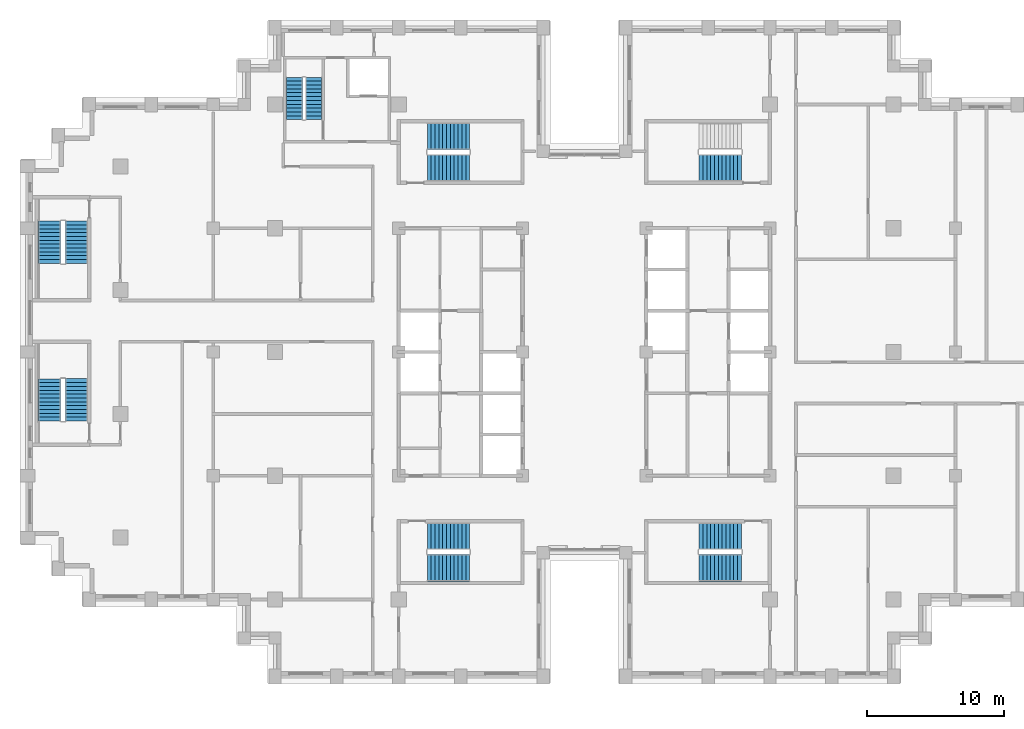
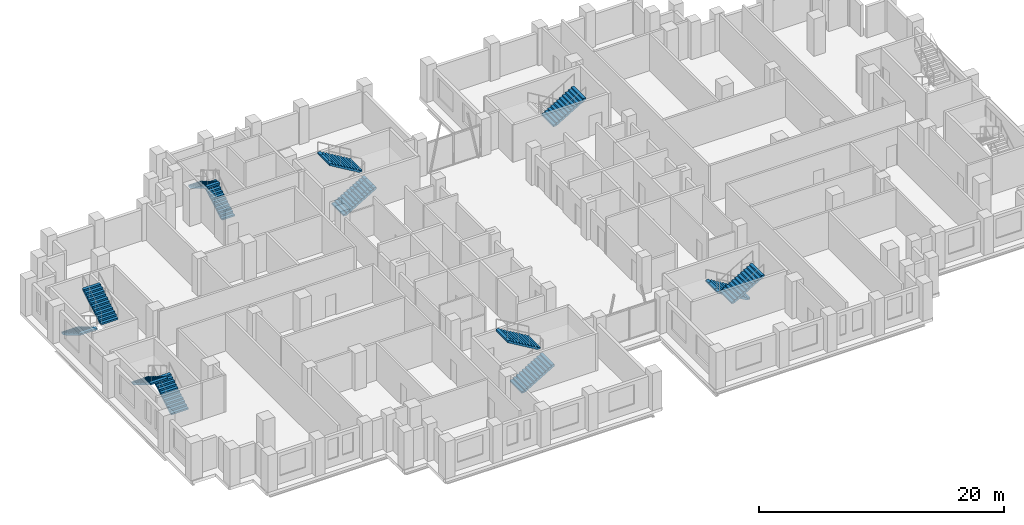
# One storey, part 13 of 16: 13 stair flights, 7 elements without a shape of their own.
"""IFC4 building model written with IfcOpenShell, lengths in metres."""

import ifcopenshell
import ifcopenshell.guid

model = None  # the IFC model being written
_history = None  # IfcOwnerHistory: only IFC2X3 demands one
_inside = {}  # id of a spatial element -> (the spatial element, [elements in it])
_under = {}  # id of a project, library or spatial element -> (it, [spatial elements below it])
_declared = {}  # id of a project -> (the project, [libraries it declares])
_typed = {}  # id of a type object -> (the type object, [elements of that type])
_made_of = {}  # id of a material, layer set ... -> (it, [elements and type objects made of it])


def new_model(schema):
    """Start an empty IFC model of exactly this schema.

    Asked for "IFC4X3", IfcOpenShell would pick the latest addendum, in which some entities
    have other attributes; the version numbers below select the first issue.
    IFC2X3 requires an IfcOwnerHistory on every rooted entity: one is made here for all.
    """
    global model, _history
    if schema == "IFC4X3":
        model = ifcopenshell.file(schema_version=(4, 3, 0, 0))
    else:
        model = ifcopenshell.file(schema=schema)
    _inside.clear()
    _under.clear()
    _declared.clear()
    _typed.clear()
    _made_of.clear()
    _history = None
    if model.schema == "IFC2X3":
        org = make("IfcOrganization", Name="unknown")
        user = make(
            "IfcPersonAndOrganization",
            ThePerson=make("IfcPerson", FamilyName="unknown"),
            TheOrganization=org,
        )
        app = make(
            "IfcApplication",
            ApplicationDeveloper=org,
            Version="unknown",
            ApplicationFullName="unknown",
            ApplicationIdentifier="unknown",
        )
        _history = make(
            "IfcOwnerHistory",
            OwningUser=user,
            OwningApplication=app,
            ChangeAction="ADDED",
            CreationDate=0,
        )
    return model


def make(cls, **values):
    """One entity of the class cls with the attributes given. An attribute that is None is left unset."""
    return model.create_entity(
        cls, **{name: value for name, value in values.items() if value is not None}
    )


def rooted(cls, **values):
    """An entity with a GlobalId (a new one), such as an element, a storey or a relation."""
    return make(cls, GlobalId=ifcopenshell.guid.new(), OwnerHistory=_history, **values)


def si_unit(unit_type, name, prefix=None):
    """IfcSIUnit, for example si_unit("LENGTHUNIT", "METRE", prefix="MILLI")."""
    return make("IfcSIUnit", UnitType=unit_type, Prefix=prefix, Name=name)


def assignment(units):
    """IfcUnitAssignment: the units of a project."""
    return None if units is None else make("IfcUnitAssignment", Units=units)


def point(xyz):
    """IfcCartesianPoint."""
    return None if xyz is None else make("IfcCartesianPoint", Coordinates=xyz)


def direction(xyz):
    """IfcDirection."""
    return None if xyz is None else make("IfcDirection", DirectionRatios=xyz)


def frame(location, z_axis=None, x_axis=None):
    """IfcAxis2Placement3D, a coordinate frame: its origin and axes. An axis left out is left unset."""
    return make(
        "IfcAxis2Placement3D",
        Location=point(location),
        Axis=direction(z_axis),
        RefDirection=direction(x_axis),
    )


def origin():
    """The frame at (0, 0, 0) with its axes left unset."""
    return frame((0.0, 0.0, 0.0))


def place(relative_to, where):
    """IfcLocalPlacement: puts the frame where relative to a parent placement (None: the world)."""
    return make(
        "IfcLocalPlacement", PlacementRelTo=relative_to, RelativePlacement=where
    )


def context(
    kind, dimensions, precision=None, world=None, true_north=None, identifier=None
):
    """IfcGeometricRepresentationContext, for example the 3D "Model" context."""
    return make(
        "IfcGeometricRepresentationContext",
        ContextIdentifier=identifier,
        ContextType=kind,
        CoordinateSpaceDimension=dimensions,
        Precision=precision,
        WorldCoordinateSystem=world,
        TrueNorth=true_north,
    )


def subcontext(parent, identifier, kind, view, scale=None):
    """IfcGeometricRepresentationSubContext, for example "Body" below "Model"."""
    return make(
        "IfcGeometricRepresentationSubContext",
        ContextIdentifier=identifier,
        ContextType=kind,
        ParentContext=parent,
        TargetScale=scale,
        TargetView=view,
    )


def project(units=None, contexts=None):
    """IfcProject with its units and contexts."""
    return rooted(
        "IfcProject",
        Name="project",
        RepresentationContexts=contexts,
        UnitsInContext=assignment(units),
    )


def spatial(cls, under=None, at=None, **own):
    """A site, building, storey or space (cls), placed at a placement, below another one or the project."""
    s = rooted(cls, ObjectPlacement=at, **own)
    if under is not None:
        _under.setdefault(under.id(), (under, []))[1].append(s)
    return s


def polyline(points):
    """IfcPolyline through the points."""
    return make("IfcPolyline", Points=[point(p) for p in points])


def outline(outer, holes=None, kind="AREA"):
    """IfcArbitraryClosedProfileDef: a profile drawn as a closed curve; with holes, ...WithVoids."""
    if holes is None:
        return make("IfcArbitraryClosedProfileDef", ProfileType=kind, OuterCurve=outer)
    return make(
        "IfcArbitraryProfileDefWithVoids",
        ProfileType=kind,
        OuterCurve=outer,
        InnerCurves=holes,
    )


def extrude(swept, where, along, depth):
    """IfcExtrudedAreaSolid: the profile swept, set in the frame where, extruded along a direction by depth."""
    return make(
        "IfcExtrudedAreaSolid",
        SweptArea=swept,
        Position=where,
        ExtrudedDirection=direction(along),
        Depth=depth,
    )


def shape(context_of_items, identifier, shape_type, items):
    """IfcShapeRepresentation: the items that make up one representation, for example the "Body"."""
    return make(
        "IfcShapeRepresentation",
        ContextOfItems=context_of_items,
        RepresentationIdentifier=identifier,
        RepresentationType=shape_type,
        Items=items,
    )


def material(Name=None, Category=None):
    """IfcMaterial."""
    return make("IfcMaterial", Name=Name, Category=Category)


def made_of(thing, what):
    """Note that an element or type object is made of a material, layer set ...; save() writes the relation."""
    if what is not None:
        _made_of.setdefault(what.id(), (what, []))[1].append(thing)
    return thing


def type_object(cls, material=None, **own):
    """A type object (cls), such as IfcWallType, which elements share."""
    return made_of(rooted(cls, **own), material)


def element(
    cls,
    number,
    at=None,
    inside=None,
    cuts=None,
    type_object=None,
    material=None,
    context=None,
    identifier="Body",
    shape_type=None,
    held_by="IfcProductDefinitionShape",
    body=None,
    shapes=None,
    **own,
):
    """One element of the class cls, such as IfcWall. Its Tag is "e" and its number.

    at: its placement. inside: the storey or other place that contains it. cuts: it is an
    opening in that element (IfcRelVoidsElement). A single representation is given by context,
    identifier, shape_type and body (its items); several are given by shapes. held_by: the class
    of the entity that holds the representations. save() writes the other relations.
    """
    e = rooted(cls, Tag="e%d" % number, ObjectPlacement=at, **own)
    if body is not None:
        shapes = [shape(context, identifier, shape_type, body)]
    if shapes is not None:
        e.Representation = make(held_by, Representations=shapes)
    if inside is not None:
        _inside.setdefault(inside.id(), (inside, []))[1].append(e)
    if cuts is not None:
        rooted(
            "IfcRelVoidsElement", RelatingBuildingElement=cuts, RelatedOpeningElement=e
        )
    if type_object is not None:
        _typed.setdefault(type_object.id(), (type_object, []))[1].append(e)
    return made_of(e, material)


def aggregate(whole, parts):
    """IfcRelAggregates: a whole, such as a stair, and the parts it consists of."""
    return rooted("IfcRelAggregates", RelatingObject=whole, RelatedObjects=parts)


def save(model, path):
    """Write the relations noted so far, then the file.

    IfcRelAggregates (storeys below a building ...), IfcRelContainedInSpatialStructure (elements
    in a storey), IfcRelDefinesByType, IfcRelAssociatesMaterial and IfcRelDeclares: one each for
    every whole, place, type object, material and project.
    """
    for whole, parts in _under.values():
        aggregate(whole, parts)
    for where, things in _inside.values():
        rooted(
            "IfcRelContainedInSpatialStructure",
            RelatedElements=things,
            RelatingStructure=where,
        )
    for kind, things in _typed.values():
        rooted("IfcRelDefinesByType", RelatedObjects=things, RelatingType=kind)
    for what, things in _made_of.values():
        rooted("IfcRelAssociatesMaterial", RelatedObjects=things, RelatingMaterial=what)
    for by, libraries in _declared.values():
        rooted("IfcRelDeclares", RelatingContext=by, RelatedDefinitions=libraries)
    model.write(path)


model = new_model("IFC4")

# Units and contexts
model_context = context("Model", 3, precision=1e-05, world=origin(), true_north=direction((0.0, 1.0)))
body_context = subcontext(model_context, "Body", "Model", "MODEL_VIEW")
ifc_project = project(units=[si_unit("LENGTHUNIT", "METRE"), si_unit("AREAUNIT", "SQUARE_METRE"), si_unit("VOLUMEUNIT", "CUBIC_METRE"), si_unit("PLANEANGLEUNIT", "RADIAN"), si_unit("MASSUNIT", "GRAM", prefix="KILO")], contexts=[model_context])

# Site, building, storey
site_placement = place(None, origin())
site = spatial("IfcSite", under=ifc_project, at=site_placement, CompositionType="ELEMENT")
building_placement = place(site_placement, origin())
building = spatial("IfcBuilding", under=site, at=building_placement, Name="Corbelhall Arena Tower", CompositionType="ELEMENT")
storey_placement = place(building_placement, frame((0.0, 0.0, 170.0)))
storey = spatial("IfcBuildingStorey", under=building, at=storey_placement, Name="L34", CompositionType="ELEMENT", Elevation=170.0)

# Stair, stair flights
ifc_material = material(Name="Concrete C40/50", Category="concrete")
stair_type = type_object("IfcStairType", Name="IN-ST-TOWER", PredefinedType="HALF_TURN_STAIR", material=ifc_material)
stair_1_placement = place(storey_placement, origin())
stair_1 = element("IfcStair", 1, at=stair_1_placement, inside=storey, type_object=stair_type, Name="L34 Exit stair ST1", PredefinedType="HALF_TURN_STAIR")
stair_flight_type = type_object("IfcStairFlightType", Name="IN-SFL-RC", PredefinedType="STRAIGHT", material=ifc_material)
stair_flight_1_placement = place(storey_placement, frame((-11.425048828125, 13.39990234375, 0.0), z_axis=(0.0, 0.0, 1.0), x_axis=(1.0, 0.0, 0.0)))
stair_flight_1 = element("IfcStairFlight", 2, at=stair_flight_1_placement, type_object=stair_flight_type, Name="ST1 flight 1", NumberOfRisers=12, NumberOfTreads=11, PredefinedType="STRAIGHT", RiserHeight=0.166666667, TreadLength=0.28, context=body_context, shape_type="SweptSolid", body=[
    extrude(outline(polyline([(0.0, 0.0), (0.0, 0.166748046875), (0.280029296875, 0.166748046875), (0.280029296875, 0.333251953125), (0.56005859375, 0.333251953125), (0.56005859375, 0.5), (0.840087890625, 0.5), (0.840087890625, 0.666748046875), (1.1201171875, 0.666748046875), (1.1201171875, 0.833251953125), (1.39990234375, 0.833251953125), (1.39990234375, 1.0), (1.679931640625, 1.0), (1.679931640625, 1.166748046875), (1.9599609375, 1.166748046875), (1.9599609375, 1.333251953125), (2.239990234375, 1.333251953125), (2.239990234375, 1.5), (2.52001953125, 1.5), (2.52001953125, 1.666748046875), (2.800048828125, 1.666748046875), (2.800048828125, 1.833251953125), (3.080078125, 1.833251953125), (3.080078125, 2.0), (3.080078125, 1.658935546875), (0.29296875, 0.0), (0.0, 0.0)])), frame((0.0, 0.97509765625, 0.0), z_axis=(0.0, -1.0, 0.0), x_axis=(1.0, 0.0, 0.0)), (0.0, 0.0, 1.0), 0.449951171875),
    extrude(outline(polyline([(0.0, 0.0), (0.0, 0.166748046875), (0.280029296875, 0.166748046875), (0.280029296875, 0.333251953125), (0.56005859375, 0.333251953125), (0.56005859375, 0.5), (0.840087890625, 0.5), (0.840087890625, 0.666748046875), (1.1201171875, 0.666748046875), (1.1201171875, 0.833251953125), (1.39990234375, 0.833251953125), (1.39990234375, 1.0), (1.679931640625, 1.0), (1.679931640625, 1.166748046875), (1.9599609375, 1.166748046875), (1.9599609375, 1.333251953125), (2.239990234375, 1.333251953125), (2.239990234375, 1.5), (2.52001953125, 1.5), (2.52001953125, 1.666748046875), (2.800048828125, 1.666748046875), (2.800048828125, 1.833251953125), (3.080078125, 1.833251953125), (3.080078125, 2.0), (3.080078125, 1.658935546875), (0.29296875, 0.0), (0.0, 0.0)])), frame((0.0, 0.52099609375, 0.0), z_axis=(0.0, -1.0, 0.0), x_axis=(1.0, 0.0, 0.0)), (0.0, 0.0, 1.0), 1.0419921875),
    extrude(outline(polyline([(0.0, 0.0), (0.0, 0.166748046875), (0.280029296875, 0.166748046875), (0.280029296875, 0.333251953125), (0.56005859375, 0.333251953125), (0.56005859375, 0.5), (0.840087890625, 0.5), (0.840087890625, 0.666748046875), (1.1201171875, 0.666748046875), (1.1201171875, 0.833251953125), (1.39990234375, 0.833251953125), (1.39990234375, 1.0), (1.679931640625, 1.0), (1.679931640625, 1.166748046875), (1.9599609375, 1.166748046875), (1.9599609375, 1.333251953125), (2.239990234375, 1.333251953125), (2.239990234375, 1.5), (2.52001953125, 1.5), (2.52001953125, 1.666748046875), (2.800048828125, 1.666748046875), (2.800048828125, 1.833251953125), (3.080078125, 1.833251953125), (3.080078125, 2.0), (3.080078125, 1.658935546875), (0.29296875, 0.0), (0.0, 0.0)])), frame((0.0, -0.52490234375, 0.0), z_axis=(0.0, -1.0, 0.0), x_axis=(1.0, 0.0, 0.0)), (0.0, 0.0, 1.0), 0.449951171875),
])
stair_flight_2_placement = place(storey_placement, frame((-8.344970703125, 15.699951171875, 2.0), z_axis=(0.0, 0.0, 1.0), x_axis=(-1.0, 0.0, 0.0)))
stair_flight_2 = element("IfcStairFlight", 3, at=stair_flight_2_placement, type_object=stair_flight_type, Name="ST1 flight 2", NumberOfRisers=12, NumberOfTreads=11, PredefinedType="STRAIGHT", RiserHeight=0.166666667, TreadLength=0.28, context=body_context, shape_type="SweptSolid", body=[
    extrude(outline(polyline([(0.0, 0.0), (0.0, 0.166748046875), (0.280029296875, 0.166748046875), (0.280029296875, 0.333251953125), (0.56005859375, 0.333251953125), (0.56005859375, 0.5), (0.840087890625, 0.5), (0.840087890625, 0.666748046875), (1.1201171875, 0.666748046875), (1.1201171875, 0.833251953125), (1.39990234375, 0.833251953125), (1.39990234375, 1.0), (1.679931640625, 1.0), (1.679931640625, 1.166748046875), (1.9599609375, 1.166748046875), (1.9599609375, 1.333251953125), (2.239990234375, 1.333251953125), (2.239990234375, 1.5), (2.52001953125, 1.5), (2.52001953125, 1.666748046875), (2.800048828125, 1.666748046875), (2.800048828125, 1.833251953125), (3.080078125, 1.833251953125), (3.080078125, 2.0), (3.080078125, 1.658935546875), (0.29296875, 0.0), (0.0, 0.0)])), frame((0.0, 0.97509765625, 0.0), z_axis=(0.0, -1.0, 0.0), x_axis=(1.0, 0.0, 0.0)), (0.0, 0.0, 1.0), 0.449951171875),
    extrude(outline(polyline([(0.0, 0.0), (0.0, 0.166748046875), (0.280029296875, 0.166748046875), (0.280029296875, 0.333251953125), (0.56005859375, 0.333251953125), (0.56005859375, 0.5), (0.840087890625, 0.5), (0.840087890625, 0.666748046875), (1.1201171875, 0.666748046875), (1.1201171875, 0.833251953125), (1.39990234375, 0.833251953125), (1.39990234375, 1.0), (1.679931640625, 1.0), (1.679931640625, 1.166748046875), (1.9599609375, 1.166748046875), (1.9599609375, 1.333251953125), (2.239990234375, 1.333251953125), (2.239990234375, 1.5), (2.52001953125, 1.5), (2.52001953125, 1.666748046875), (2.800048828125, 1.666748046875), (2.800048828125, 1.833251953125), (3.080078125, 1.833251953125), (3.080078125, 2.0), (3.080078125, 1.658935546875), (0.29296875, 0.0), (0.0, 0.0)])), frame((0.0, 0.52099609375, 0.0), z_axis=(0.0, -1.0, 0.0), x_axis=(1.0, 0.0, 0.0)), (0.0, 0.0, 1.0), 1.0419921875),
    extrude(outline(polyline([(0.0, 0.0), (0.0, 0.166748046875), (0.280029296875, 0.166748046875), (0.280029296875, 0.333251953125), (0.56005859375, 0.333251953125), (0.56005859375, 0.5), (0.840087890625, 0.5), (0.840087890625, 0.666748046875), (1.1201171875, 0.666748046875), (1.1201171875, 0.833251953125), (1.39990234375, 0.833251953125), (1.39990234375, 1.0), (1.679931640625, 1.0), (1.679931640625, 1.166748046875), (1.9599609375, 1.166748046875), (1.9599609375, 1.333251953125), (2.239990234375, 1.333251953125), (2.239990234375, 1.5), (2.52001953125, 1.5), (2.52001953125, 1.666748046875), (2.800048828125, 1.666748046875), (2.800048828125, 1.833251953125), (3.080078125, 1.833251953125), (3.080078125, 2.0), (3.080078125, 1.658935546875), (0.29296875, 0.0), (0.0, 0.0)])), frame((0.0, -0.52490234375, 0.0), z_axis=(0.0, -1.0, 0.0), x_axis=(1.0, 0.0, 0.0)), (0.0, 0.0, 1.0), 0.449951171875),
])
aggregate(stair_1, [stair_flight_1, stair_flight_2])

stair_2_placement = place(storey_placement, origin())
stair_2 = element("IfcStair", 4, at=stair_2_placement, inside=storey, type_object=stair_type, Name="L34 Exit stair ST2", PredefinedType="HALF_TURN_STAIR")
stair_flight_3_placement = place(storey_placement, frame((-11.425048828125, -15.699951171875, 0.0), z_axis=(0.0, 0.0, 1.0), x_axis=(1.0, 0.0, 0.0)))
stair_flight_3 = element("IfcStairFlight", 5, at=stair_flight_3_placement, type_object=stair_flight_type, Name="ST2 flight 1", NumberOfRisers=12, NumberOfTreads=11, PredefinedType="STRAIGHT", RiserHeight=0.166666667, TreadLength=0.28, context=body_context, shape_type="SweptSolid", body=[
    extrude(outline(polyline([(0.0, 0.0), (0.0, 0.166748046875), (0.280029296875, 0.166748046875), (0.280029296875, 0.333251953125), (0.56005859375, 0.333251953125), (0.56005859375, 0.5), (0.840087890625, 0.5), (0.840087890625, 0.666748046875), (1.1201171875, 0.666748046875), (1.1201171875, 0.833251953125), (1.39990234375, 0.833251953125), (1.39990234375, 1.0), (1.679931640625, 1.0), (1.679931640625, 1.166748046875), (1.9599609375, 1.166748046875), (1.9599609375, 1.333251953125), (2.239990234375, 1.333251953125), (2.239990234375, 1.5), (2.52001953125, 1.5), (2.52001953125, 1.666748046875), (2.800048828125, 1.666748046875), (2.800048828125, 1.833251953125), (3.080078125, 1.833251953125), (3.080078125, 2.0), (3.080078125, 1.658935546875), (0.29296875, 0.0), (0.0, 0.0)])), frame((0.0, 0.97509765625, 0.0), z_axis=(0.0, -1.0, 0.0), x_axis=(1.0, 0.0, 0.0)), (0.0, 0.0, 1.0), 0.449951171875),
    extrude(outline(polyline([(0.0, 0.0), (0.0, 0.166748046875), (0.280029296875, 0.166748046875), (0.280029296875, 0.333251953125), (0.56005859375, 0.333251953125), (0.56005859375, 0.5), (0.840087890625, 0.5), (0.840087890625, 0.666748046875), (1.1201171875, 0.666748046875), (1.1201171875, 0.833251953125), (1.39990234375, 0.833251953125), (1.39990234375, 1.0), (1.679931640625, 1.0), (1.679931640625, 1.166748046875), (1.9599609375, 1.166748046875), (1.9599609375, 1.333251953125), (2.239990234375, 1.333251953125), (2.239990234375, 1.5), (2.52001953125, 1.5), (2.52001953125, 1.666748046875), (2.800048828125, 1.666748046875), (2.800048828125, 1.833251953125), (3.080078125, 1.833251953125), (3.080078125, 2.0), (3.080078125, 1.658935546875), (0.29296875, 0.0), (0.0, 0.0)])), frame((0.0, 0.52099609375, 0.0), z_axis=(0.0, -1.0, 0.0), x_axis=(1.0, 0.0, 0.0)), (0.0, 0.0, 1.0), 1.0419921875),
    extrude(outline(polyline([(0.0, 0.0), (0.0, 0.166748046875), (0.280029296875, 0.166748046875), (0.280029296875, 0.333251953125), (0.56005859375, 0.333251953125), (0.56005859375, 0.5), (0.840087890625, 0.5), (0.840087890625, 0.666748046875), (1.1201171875, 0.666748046875), (1.1201171875, 0.833251953125), (1.39990234375, 0.833251953125), (1.39990234375, 1.0), (1.679931640625, 1.0), (1.679931640625, 1.166748046875), (1.9599609375, 1.166748046875), (1.9599609375, 1.333251953125), (2.239990234375, 1.333251953125), (2.239990234375, 1.5), (2.52001953125, 1.5), (2.52001953125, 1.666748046875), (2.800048828125, 1.666748046875), (2.800048828125, 1.833251953125), (3.080078125, 1.833251953125), (3.080078125, 2.0), (3.080078125, 1.658935546875), (0.29296875, 0.0), (0.0, 0.0)])), frame((0.0, -0.52490234375, 0.0), z_axis=(0.0, -1.0, 0.0), x_axis=(1.0, 0.0, 0.0)), (0.0, 0.0, 1.0), 0.449951171875),
])
stair_flight_4_placement = place(storey_placement, frame((-8.344970703125, -13.39990234375, 2.0), z_axis=(0.0, 0.0, 1.0), x_axis=(-1.0, 0.0, 0.0)))
stair_flight_4 = element("IfcStairFlight", 6, at=stair_flight_4_placement, type_object=stair_flight_type, Name="ST2 flight 2", NumberOfRisers=12, NumberOfTreads=11, PredefinedType="STRAIGHT", RiserHeight=0.166666667, TreadLength=0.28, context=body_context, shape_type="SweptSolid", body=[
    extrude(outline(polyline([(0.0, 0.0), (0.0, 0.166748046875), (0.280029296875, 0.166748046875), (0.280029296875, 0.333251953125), (0.56005859375, 0.333251953125), (0.56005859375, 0.5), (0.840087890625, 0.5), (0.840087890625, 0.666748046875), (1.1201171875, 0.666748046875), (1.1201171875, 0.833251953125), (1.39990234375, 0.833251953125), (1.39990234375, 1.0), (1.679931640625, 1.0), (1.679931640625, 1.166748046875), (1.9599609375, 1.166748046875), (1.9599609375, 1.333251953125), (2.239990234375, 1.333251953125), (2.239990234375, 1.5), (2.52001953125, 1.5), (2.52001953125, 1.666748046875), (2.800048828125, 1.666748046875), (2.800048828125, 1.833251953125), (3.080078125, 1.833251953125), (3.080078125, 2.0), (3.080078125, 1.658935546875), (0.29296875, 0.0), (0.0, 0.0)])), frame((0.0, 0.97509765625, 0.0), z_axis=(0.0, -1.0, 0.0), x_axis=(1.0, 0.0, 0.0)), (0.0, 0.0, 1.0), 0.449951171875),
    extrude(outline(polyline([(0.0, 0.0), (0.0, 0.166748046875), (0.280029296875, 0.166748046875), (0.280029296875, 0.333251953125), (0.56005859375, 0.333251953125), (0.56005859375, 0.5), (0.840087890625, 0.5), (0.840087890625, 0.666748046875), (1.1201171875, 0.666748046875), (1.1201171875, 0.833251953125), (1.39990234375, 0.833251953125), (1.39990234375, 1.0), (1.679931640625, 1.0), (1.679931640625, 1.166748046875), (1.9599609375, 1.166748046875), (1.9599609375, 1.333251953125), (2.239990234375, 1.333251953125), (2.239990234375, 1.5), (2.52001953125, 1.5), (2.52001953125, 1.666748046875), (2.800048828125, 1.666748046875), (2.800048828125, 1.833251953125), (3.080078125, 1.833251953125), (3.080078125, 2.0), (3.080078125, 1.658935546875), (0.29296875, 0.0), (0.0, 0.0)])), frame((0.0, 0.52099609375, 0.0), z_axis=(0.0, -1.0, 0.0), x_axis=(1.0, 0.0, 0.0)), (0.0, 0.0, 1.0), 1.0419921875),
    extrude(outline(polyline([(0.0, 0.0), (0.0, 0.166748046875), (0.280029296875, 0.166748046875), (0.280029296875, 0.333251953125), (0.56005859375, 0.333251953125), (0.56005859375, 0.5), (0.840087890625, 0.5), (0.840087890625, 0.666748046875), (1.1201171875, 0.666748046875), (1.1201171875, 0.833251953125), (1.39990234375, 0.833251953125), (1.39990234375, 1.0), (1.679931640625, 1.0), (1.679931640625, 1.166748046875), (1.9599609375, 1.166748046875), (1.9599609375, 1.333251953125), (2.239990234375, 1.333251953125), (2.239990234375, 1.5), (2.52001953125, 1.5), (2.52001953125, 1.666748046875), (2.800048828125, 1.666748046875), (2.800048828125, 1.833251953125), (3.080078125, 1.833251953125), (3.080078125, 2.0), (3.080078125, 1.658935546875), (0.29296875, 0.0), (0.0, 0.0)])), frame((0.0, -0.52490234375, 0.0), z_axis=(0.0, -1.0, 0.0), x_axis=(1.0, 0.0, 0.0)), (0.0, 0.0, 1.0), 0.449951171875),
])
aggregate(stair_2, [stair_flight_3, stair_flight_4])

# Stair, stair flight
stair_3_placement = place(storey_placement, origin())
stair_3 = element("IfcStair", 7, at=stair_3_placement, inside=storey, type_object=stair_type, Name="L34 Exit stair ST3", PredefinedType="HALF_TURN_STAIR")
stair_flight_5_placement = place(storey_placement, frame((8.344970703125, 13.39990234375, 2.0), z_axis=(0.0, 0.0, 1.0), x_axis=(1.0, 0.0, 0.0)))
stair_flight_5 = element("IfcStairFlight", 8, at=stair_flight_5_placement, type_object=stair_flight_type, Name="ST3 flight 2", NumberOfRisers=12, NumberOfTreads=11, PredefinedType="STRAIGHT", RiserHeight=0.166666667, TreadLength=0.28, context=body_context, shape_type="SweptSolid", body=[
    extrude(outline(polyline([(0.0, 0.0), (0.0, 0.166748046875), (0.280029296875, 0.166748046875), (0.280029296875, 0.333251953125), (0.56005859375, 0.333251953125), (0.56005859375, 0.5), (0.840087890625, 0.5), (0.840087890625, 0.666748046875), (1.1201171875, 0.666748046875), (1.1201171875, 0.833251953125), (1.39990234375, 0.833251953125), (1.39990234375, 1.0), (1.679931640625, 1.0), (1.679931640625, 1.166748046875), (1.9599609375, 1.166748046875), (1.9599609375, 1.333251953125), (2.239990234375, 1.333251953125), (2.239990234375, 1.5), (2.52001953125, 1.5), (2.52001953125, 1.666748046875), (2.800048828125, 1.666748046875), (2.800048828125, 1.833251953125), (3.080078125, 1.833251953125), (3.080078125, 2.0), (3.080078125, 1.658935546875), (0.29296875, 0.0), (0.0, 0.0)])), frame((0.0, 0.97509765625, 0.0), z_axis=(0.0, -1.0, 0.0), x_axis=(1.0, 0.0, 0.0)), (0.0, 0.0, 1.0), 0.449951171875),
    extrude(outline(polyline([(0.0, 0.0), (0.0, 0.166748046875), (0.280029296875, 0.166748046875), (0.280029296875, 0.333251953125), (0.56005859375, 0.333251953125), (0.56005859375, 0.5), (0.840087890625, 0.5), (0.840087890625, 0.666748046875), (1.1201171875, 0.666748046875), (1.1201171875, 0.833251953125), (1.39990234375, 0.833251953125), (1.39990234375, 1.0), (1.679931640625, 1.0), (1.679931640625, 1.166748046875), (1.9599609375, 1.166748046875), (1.9599609375, 1.333251953125), (2.239990234375, 1.333251953125), (2.239990234375, 1.5), (2.52001953125, 1.5), (2.52001953125, 1.666748046875), (2.800048828125, 1.666748046875), (2.800048828125, 1.833251953125), (3.080078125, 1.833251953125), (3.080078125, 2.0), (3.080078125, 1.658935546875), (0.29296875, 0.0), (0.0, 0.0)])), frame((0.0, 0.52099609375, 0.0), z_axis=(0.0, -1.0, 0.0), x_axis=(1.0, 0.0, 0.0)), (0.0, 0.0, 1.0), 1.0419921875),
    extrude(outline(polyline([(0.0, 0.0), (0.0, 0.166748046875), (0.280029296875, 0.166748046875), (0.280029296875, 0.333251953125), (0.56005859375, 0.333251953125), (0.56005859375, 0.5), (0.840087890625, 0.5), (0.840087890625, 0.666748046875), (1.1201171875, 0.666748046875), (1.1201171875, 0.833251953125), (1.39990234375, 0.833251953125), (1.39990234375, 1.0), (1.679931640625, 1.0), (1.679931640625, 1.166748046875), (1.9599609375, 1.166748046875), (1.9599609375, 1.333251953125), (2.239990234375, 1.333251953125), (2.239990234375, 1.5), (2.52001953125, 1.5), (2.52001953125, 1.666748046875), (2.800048828125, 1.666748046875), (2.800048828125, 1.833251953125), (3.080078125, 1.833251953125), (3.080078125, 2.0), (3.080078125, 1.658935546875), (0.29296875, 0.0), (0.0, 0.0)])), frame((0.0, -0.52490234375, 0.0), z_axis=(0.0, -1.0, 0.0), x_axis=(1.0, 0.0, 0.0)), (0.0, 0.0, 1.0), 0.449951171875),
])
aggregate(stair_3, [stair_flight_5])

# Stair, stair flights
stair_4_placement = place(storey_placement, origin())
stair_4 = element("IfcStair", 9, at=stair_4_placement, inside=storey, type_object=stair_type, Name="L34 Exit stair ST4", PredefinedType="HALF_TURN_STAIR")
stair_flight_6_placement = place(storey_placement, frame((11.425048828125, -13.39990234375, 0.0), z_axis=(0.0, 0.0, 1.0), x_axis=(-1.0, 0.0, 0.0)))
stair_flight_6 = element("IfcStairFlight", 10, at=stair_flight_6_placement, type_object=stair_flight_type, Name="ST4 flight 1", NumberOfRisers=12, NumberOfTreads=11, PredefinedType="STRAIGHT", RiserHeight=0.166666667, TreadLength=0.28, context=body_context, shape_type="SweptSolid", body=[
    extrude(outline(polyline([(0.0, 0.0), (0.0, 0.166748046875), (0.280029296875, 0.166748046875), (0.280029296875, 0.333251953125), (0.56005859375, 0.333251953125), (0.56005859375, 0.5), (0.840087890625, 0.5), (0.840087890625, 0.666748046875), (1.1201171875, 0.666748046875), (1.1201171875, 0.833251953125), (1.39990234375, 0.833251953125), (1.39990234375, 1.0), (1.679931640625, 1.0), (1.679931640625, 1.166748046875), (1.9599609375, 1.166748046875), (1.9599609375, 1.333251953125), (2.239990234375, 1.333251953125), (2.239990234375, 1.5), (2.52001953125, 1.5), (2.52001953125, 1.666748046875), (2.800048828125, 1.666748046875), (2.800048828125, 1.833251953125), (3.080078125, 1.833251953125), (3.080078125, 2.0), (3.080078125, 1.658935546875), (0.29296875, 0.0), (0.0, 0.0)])), frame((0.0, 0.97509765625, 0.0), z_axis=(0.0, -1.0, 0.0), x_axis=(1.0, 0.0, 0.0)), (0.0, 0.0, 1.0), 0.449951171875),
    extrude(outline(polyline([(0.0, 0.0), (0.0, 0.166748046875), (0.280029296875, 0.166748046875), (0.280029296875, 0.333251953125), (0.56005859375, 0.333251953125), (0.56005859375, 0.5), (0.840087890625, 0.5), (0.840087890625, 0.666748046875), (1.1201171875, 0.666748046875), (1.1201171875, 0.833251953125), (1.39990234375, 0.833251953125), (1.39990234375, 1.0), (1.679931640625, 1.0), (1.679931640625, 1.166748046875), (1.9599609375, 1.166748046875), (1.9599609375, 1.333251953125), (2.239990234375, 1.333251953125), (2.239990234375, 1.5), (2.52001953125, 1.5), (2.52001953125, 1.666748046875), (2.800048828125, 1.666748046875), (2.800048828125, 1.833251953125), (3.080078125, 1.833251953125), (3.080078125, 2.0), (3.080078125, 1.658935546875), (0.29296875, 0.0), (0.0, 0.0)])), frame((0.0, 0.52099609375, 0.0), z_axis=(0.0, -1.0, 0.0), x_axis=(1.0, 0.0, 0.0)), (0.0, 0.0, 1.0), 1.0419921875),
    extrude(outline(polyline([(0.0, 0.0), (0.0, 0.166748046875), (0.280029296875, 0.166748046875), (0.280029296875, 0.333251953125), (0.56005859375, 0.333251953125), (0.56005859375, 0.5), (0.840087890625, 0.5), (0.840087890625, 0.666748046875), (1.1201171875, 0.666748046875), (1.1201171875, 0.833251953125), (1.39990234375, 0.833251953125), (1.39990234375, 1.0), (1.679931640625, 1.0), (1.679931640625, 1.166748046875), (1.9599609375, 1.166748046875), (1.9599609375, 1.333251953125), (2.239990234375, 1.333251953125), (2.239990234375, 1.5), (2.52001953125, 1.5), (2.52001953125, 1.666748046875), (2.800048828125, 1.666748046875), (2.800048828125, 1.833251953125), (3.080078125, 1.833251953125), (3.080078125, 2.0), (3.080078125, 1.658935546875), (0.29296875, 0.0), (0.0, 0.0)])), frame((0.0, -0.52490234375, 0.0), z_axis=(0.0, -1.0, 0.0), x_axis=(1.0, 0.0, 0.0)), (0.0, 0.0, 1.0), 0.449951171875),
])
stair_flight_7_placement = place(storey_placement, frame((8.344970703125, -15.699951171875, 2.0), z_axis=(0.0, 0.0, 1.0), x_axis=(1.0, 0.0, 0.0)))
stair_flight_7 = element("IfcStairFlight", 11, at=stair_flight_7_placement, type_object=stair_flight_type, Name="ST4 flight 2", NumberOfRisers=12, NumberOfTreads=11, PredefinedType="STRAIGHT", RiserHeight=0.166666667, TreadLength=0.28, context=body_context, shape_type="SweptSolid", body=[
    extrude(outline(polyline([(0.0, 0.0), (0.0, 0.166748046875), (0.280029296875, 0.166748046875), (0.280029296875, 0.333251953125), (0.56005859375, 0.333251953125), (0.56005859375, 0.5), (0.840087890625, 0.5), (0.840087890625, 0.666748046875), (1.1201171875, 0.666748046875), (1.1201171875, 0.833251953125), (1.39990234375, 0.833251953125), (1.39990234375, 1.0), (1.679931640625, 1.0), (1.679931640625, 1.166748046875), (1.9599609375, 1.166748046875), (1.9599609375, 1.333251953125), (2.239990234375, 1.333251953125), (2.239990234375, 1.5), (2.52001953125, 1.5), (2.52001953125, 1.666748046875), (2.800048828125, 1.666748046875), (2.800048828125, 1.833251953125), (3.080078125, 1.833251953125), (3.080078125, 2.0), (3.080078125, 1.658935546875), (0.29296875, 0.0), (0.0, 0.0)])), frame((0.0, 0.97509765625, 0.0), z_axis=(0.0, -1.0, 0.0), x_axis=(1.0, 0.0, 0.0)), (0.0, 0.0, 1.0), 0.449951171875),
    extrude(outline(polyline([(0.0, 0.0), (0.0, 0.166748046875), (0.280029296875, 0.166748046875), (0.280029296875, 0.333251953125), (0.56005859375, 0.333251953125), (0.56005859375, 0.5), (0.840087890625, 0.5), (0.840087890625, 0.666748046875), (1.1201171875, 0.666748046875), (1.1201171875, 0.833251953125), (1.39990234375, 0.833251953125), (1.39990234375, 1.0), (1.679931640625, 1.0), (1.679931640625, 1.166748046875), (1.9599609375, 1.166748046875), (1.9599609375, 1.333251953125), (2.239990234375, 1.333251953125), (2.239990234375, 1.5), (2.52001953125, 1.5), (2.52001953125, 1.666748046875), (2.800048828125, 1.666748046875), (2.800048828125, 1.833251953125), (3.080078125, 1.833251953125), (3.080078125, 2.0), (3.080078125, 1.658935546875), (0.29296875, 0.0), (0.0, 0.0)])), frame((0.0, 0.52099609375, 0.0), z_axis=(0.0, -1.0, 0.0), x_axis=(1.0, 0.0, 0.0)), (0.0, 0.0, 1.0), 1.0419921875),
    extrude(outline(polyline([(0.0, 0.0), (0.0, 0.166748046875), (0.280029296875, 0.166748046875), (0.280029296875, 0.333251953125), (0.56005859375, 0.333251953125), (0.56005859375, 0.5), (0.840087890625, 0.5), (0.840087890625, 0.666748046875), (1.1201171875, 0.666748046875), (1.1201171875, 0.833251953125), (1.39990234375, 0.833251953125), (1.39990234375, 1.0), (1.679931640625, 1.0), (1.679931640625, 1.166748046875), (1.9599609375, 1.166748046875), (1.9599609375, 1.333251953125), (2.239990234375, 1.333251953125), (2.239990234375, 1.5), (2.52001953125, 1.5), (2.52001953125, 1.666748046875), (2.800048828125, 1.666748046875), (2.800048828125, 1.833251953125), (3.080078125, 1.833251953125), (3.080078125, 2.0), (3.080078125, 1.658935546875), (0.29296875, 0.0), (0.0, 0.0)])), frame((0.0, -0.52490234375, 0.0), z_axis=(0.0, -1.0, 0.0), x_axis=(1.0, 0.0, 0.0)), (0.0, 0.0, 1.0), 0.449951171875),
])
aggregate(stair_4, [stair_flight_6, stair_flight_7])

stair_5_placement = place(storey_placement, origin())
stair_5 = element("IfcStair", 12, at=stair_5_placement, inside=storey, type_object=stair_type, Name="L34 Exit stair SC1", PredefinedType="HALF_TURN_STAIR")
stair_flight_8_placement = place(storey_placement, frame((-38.89990234375, 9.52490234375, 0.0), z_axis=(0.0, 0.0, 1.0), x_axis=(0.0, -1.0, 0.0)))
stair_flight_8 = element("IfcStairFlight", 13, at=stair_flight_8_placement, type_object=stair_flight_type, Name="SC1 flight 1", NumberOfRisers=12, NumberOfTreads=11, PredefinedType="STRAIGHT", RiserHeight=0.166666667, TreadLength=0.28, context=body_context, shape_type="SweptSolid", body=[
    extrude(outline(polyline([(0.0, 0.0), (0.0, 0.166748046875), (0.280029296875, 0.166748046875), (0.280029296875, 0.333251953125), (0.56005859375, 0.333251953125), (0.56005859375, 0.5), (0.840087890625, 0.5), (0.840087890625, 0.666748046875), (1.1201171875, 0.666748046875), (1.1201171875, 0.833251953125), (1.39990234375, 0.833251953125), (1.39990234375, 1.0), (1.679931640625, 1.0), (1.679931640625, 1.166748046875), (1.9599609375, 1.166748046875), (1.9599609375, 1.333251953125), (2.239990234375, 1.333251953125), (2.239990234375, 1.5), (2.52001953125, 1.5), (2.52001953125, 1.666748046875), (2.800048828125, 1.666748046875), (2.800048828125, 1.833251953125), (3.080078125, 1.833251953125), (3.080078125, 2.0), (3.080078125, 1.658935546875), (0.29296875, 0.0), (0.0, 0.0)])), frame((0.0, 0.800048828125, 0.0), z_axis=(0.0, -1.0, 0.0), x_axis=(1.0, 0.0, 0.0)), (0.0, 0.0, 1.0), 1.60009765625),
])
stair_flight_9_placement = place(storey_placement, frame((-36.925048828125, 6.445068359375, 2.0), z_axis=(0.0, 0.0, 1.0), x_axis=(0.0, 1.0, 0.0)))
stair_flight_9 = element("IfcStairFlight", 14, at=stair_flight_9_placement, type_object=stair_flight_type, Name="SC1 flight 2", NumberOfRisers=12, NumberOfTreads=11, PredefinedType="STRAIGHT", RiserHeight=0.166666667, TreadLength=0.28, context=body_context, shape_type="SweptSolid", body=[
    extrude(outline(polyline([(0.0, 0.0), (0.0, 0.166748046875), (0.280029296875, 0.166748046875), (0.280029296875, 0.333251953125), (0.56005859375, 0.333251953125), (0.56005859375, 0.5), (0.840087890625, 0.5), (0.840087890625, 0.666748046875), (1.1201171875, 0.666748046875), (1.1201171875, 0.833251953125), (1.39990234375, 0.833251953125), (1.39990234375, 1.0), (1.679931640625, 1.0), (1.679931640625, 1.166748046875), (1.9599609375, 1.166748046875), (1.9599609375, 1.333251953125), (2.239990234375, 1.333251953125), (2.239990234375, 1.5), (2.52001953125, 1.5), (2.52001953125, 1.666748046875), (2.800048828125, 1.666748046875), (2.800048828125, 1.833251953125), (3.080078125, 1.833251953125), (3.080078125, 2.0), (3.080078125, 1.658935546875), (0.29296875, 0.0), (0.0, 0.0)])), frame((0.0, 0.800048828125, 0.0), z_axis=(0.0, -1.0, 0.0), x_axis=(1.0, 0.0, 0.0)), (0.0, 0.0, 1.0), 1.60009765625),
])
aggregate(stair_5, [stair_flight_8, stair_flight_9])

stair_6_placement = place(storey_placement, origin())
stair_6 = element("IfcStair", 15, at=stair_6_placement, inside=storey, type_object=stair_type, Name="L34 Exit stair SC2", PredefinedType="HALF_TURN_STAIR")
stair_flight_10_placement = place(storey_placement, frame((-36.925048828125, -5.02490234375, 0.0), z_axis=(0.0, 0.0, 1.0), x_axis=(0.0, 1.0, 0.0)))
stair_flight_10 = element("IfcStairFlight", 16, at=stair_flight_10_placement, type_object=stair_flight_type, Name="SC2 flight 1", NumberOfRisers=12, NumberOfTreads=11, PredefinedType="STRAIGHT", RiserHeight=0.166666667, TreadLength=0.28, context=body_context, shape_type="SweptSolid", body=[
    extrude(outline(polyline([(0.0, 0.0), (0.0, 0.166748046875), (0.280029296875, 0.166748046875), (0.280029296875, 0.333251953125), (0.56005859375, 0.333251953125), (0.56005859375, 0.5), (0.840087890625, 0.5), (0.840087890625, 0.666748046875), (1.1201171875, 0.666748046875), (1.1201171875, 0.833251953125), (1.39990234375, 0.833251953125), (1.39990234375, 1.0), (1.679931640625, 1.0), (1.679931640625, 1.166748046875), (1.9599609375, 1.166748046875), (1.9599609375, 1.333251953125), (2.239990234375, 1.333251953125), (2.239990234375, 1.5), (2.52001953125, 1.5), (2.52001953125, 1.666748046875), (2.800048828125, 1.666748046875), (2.800048828125, 1.833251953125), (3.080078125, 1.833251953125), (3.080078125, 2.0), (3.080078125, 1.658935546875), (0.29296875, 0.0), (0.0, 0.0)])), frame((0.0, 0.800048828125, 0.0), z_axis=(0.0, -1.0, 0.0), x_axis=(1.0, 0.0, 0.0)), (0.0, 0.0, 1.0), 1.60009765625),
])
stair_flight_11_placement = place(storey_placement, frame((-38.89990234375, -1.945068359375, 2.0), z_axis=(0.0, 0.0, 1.0), x_axis=(0.0, -1.0, 0.0)))
stair_flight_11 = element("IfcStairFlight", 17, at=stair_flight_11_placement, type_object=stair_flight_type, Name="SC2 flight 2", NumberOfRisers=12, NumberOfTreads=11, PredefinedType="STRAIGHT", RiserHeight=0.166666667, TreadLength=0.28, context=body_context, shape_type="SweptSolid", body=[
    extrude(outline(polyline([(0.0, 0.0), (0.0, 0.166748046875), (0.280029296875, 0.166748046875), (0.280029296875, 0.333251953125), (0.56005859375, 0.333251953125), (0.56005859375, 0.5), (0.840087890625, 0.5), (0.840087890625, 0.666748046875), (1.1201171875, 0.666748046875), (1.1201171875, 0.833251953125), (1.39990234375, 0.833251953125), (1.39990234375, 1.0), (1.679931640625, 1.0), (1.679931640625, 1.166748046875), (1.9599609375, 1.166748046875), (1.9599609375, 1.333251953125), (2.239990234375, 1.333251953125), (2.239990234375, 1.5), (2.52001953125, 1.5), (2.52001953125, 1.666748046875), (2.800048828125, 1.666748046875), (2.800048828125, 1.833251953125), (3.080078125, 1.833251953125), (3.080078125, 2.0), (3.080078125, 1.658935546875), (0.29296875, 0.0), (0.0, 0.0)])), frame((0.0, 0.800048828125, 0.0), z_axis=(0.0, -1.0, 0.0), x_axis=(1.0, 0.0, 0.0)), (0.0, 0.0, 1.0), 1.60009765625),
])
aggregate(stair_6, [stair_flight_10, stair_flight_11])

stair_7_placement = place(storey_placement, origin())
stair_7 = element("IfcStair", 18, at=stair_7_placement, inside=storey, type_object=stair_type, Name="L34 Exit stair ST5", PredefinedType="HALF_TURN_STAIR")
stair_flight_12_placement = place(storey_placement, frame((-19.695068359375, 16.89990234375, 0.0), z_axis=(0.0, 0.0, 1.0), x_axis=(0.0, 1.0, 0.0)))
stair_flight_12 = element("IfcStairFlight", 19, at=stair_flight_12_placement, type_object=stair_flight_type, Name="ST5 flight 1", NumberOfRisers=12, NumberOfTreads=11, PredefinedType="STRAIGHT", RiserHeight=0.166666667, TreadLength=0.28, context=body_context, shape_type="SweptSolid", body=[
    extrude(outline(polyline([(0.0, 0.0), (0.0, 0.166748046875), (0.280029296875, 0.166748046875), (0.280029296875, 0.333251953125), (0.56005859375, 0.333251953125), (0.56005859375, 0.5), (0.840087890625, 0.5), (0.840087890625, 0.666748046875), (1.1201171875, 0.666748046875), (1.1201171875, 0.833251953125), (1.39990234375, 0.833251953125), (1.39990234375, 1.0), (1.679931640625, 1.0), (1.679931640625, 1.166748046875), (1.9599609375, 1.166748046875), (1.9599609375, 1.333251953125), (2.239990234375, 1.333251953125), (2.239990234375, 1.5), (2.52001953125, 1.5), (2.52001953125, 1.666748046875), (2.800048828125, 1.666748046875), (2.800048828125, 1.833251953125), (3.080078125, 1.833251953125), (3.080078125, 2.0), (3.080078125, 1.658935546875), (0.29296875, 0.0), (0.0, 0.0)])), frame((0.0, 0.60009765625, 0.0), z_axis=(0.0, -1.0, 0.0), x_axis=(1.0, 0.0, 0.0)), (0.0, 0.0, 1.0), 1.199951171875),
])
stair_flight_13_placement = place(storey_placement, frame((-21.094970703125, 19.97998046875, 2.0), z_axis=(0.0, 0.0, 1.0), x_axis=(0.0, -1.0, 0.0)))
stair_flight_13 = element("IfcStairFlight", 20, at=stair_flight_13_placement, type_object=stair_flight_type, Name="ST5 flight 2", NumberOfRisers=12, NumberOfTreads=11, PredefinedType="STRAIGHT", RiserHeight=0.166666667, TreadLength=0.28, context=body_context, shape_type="SweptSolid", body=[
    extrude(outline(polyline([(0.0, 0.0), (0.0, 0.166748046875), (0.280029296875, 0.166748046875), (0.280029296875, 0.333251953125), (0.56005859375, 0.333251953125), (0.56005859375, 0.5), (0.840087890625, 0.5), (0.840087890625, 0.666748046875), (1.1201171875, 0.666748046875), (1.1201171875, 0.833251953125), (1.39990234375, 0.833251953125), (1.39990234375, 1.0), (1.679931640625, 1.0), (1.679931640625, 1.166748046875), (1.9599609375, 1.166748046875), (1.9599609375, 1.333251953125), (2.239990234375, 1.333251953125), (2.239990234375, 1.5), (2.52001953125, 1.5), (2.52001953125, 1.666748046875), (2.800048828125, 1.666748046875), (2.800048828125, 1.833251953125), (3.080078125, 1.833251953125), (3.080078125, 2.0), (3.080078125, 1.658935546875), (0.29296875, 0.0), (0.0, 0.0)])), frame((0.0, 0.60009765625, 0.0), z_axis=(0.0, -1.0, 0.0), x_axis=(1.0, 0.0, 0.0)), (0.0, 0.0, 1.0), 1.199951171875),
])
aggregate(stair_7, [stair_flight_12, stair_flight_13])

save(model, "model.ifc")
